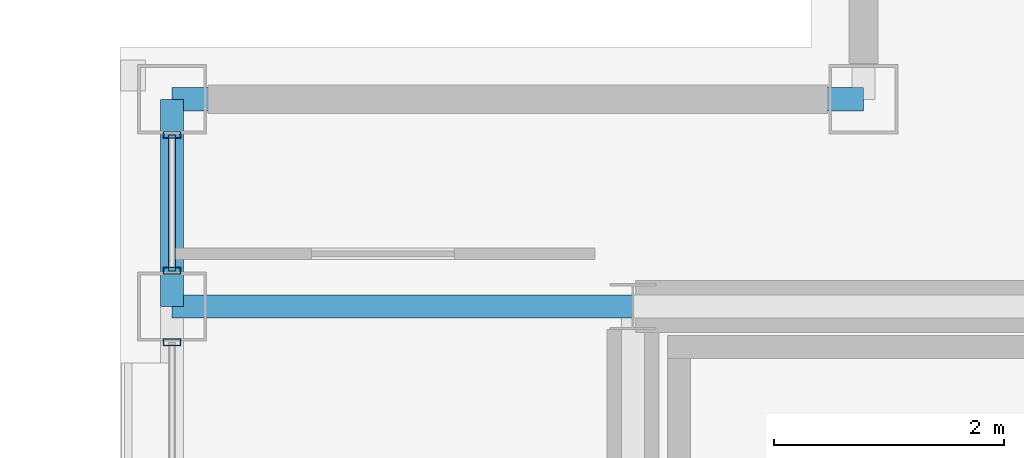
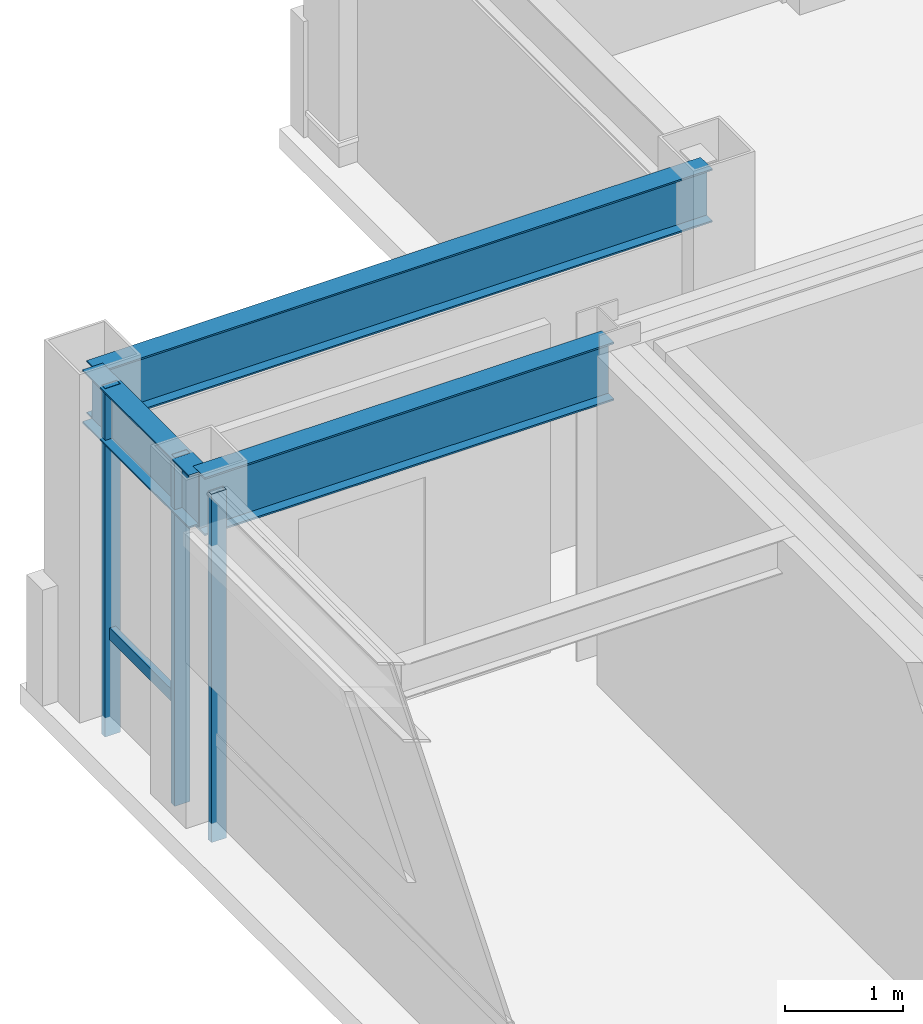
# One storey, part 11 of 27: 4 members, 3 beams, 2 elements without a shape of their own.
"""IFC4 building model written with IfcOpenShell, lengths in metres."""

from ifc_helpers import new_model, si_unit, direction, frame, origin, origin_2d, place, context, subcontext, project, spatial, hollow_rectangle, i_section, extrude, material, layer, layer_set, material_profile, profile_set, type_object, element, aggregate, save


model = new_model("IFC4")

# Units and contexts
model_context = context("Model", 3, precision=1e-05, world=origin(), true_north=direction((0.0, 1.0)))
body_context = subcontext(model_context, "Body", "Model", "MODEL_VIEW")
ifc_project = project(units=[si_unit("LENGTHUNIT", "METRE"), si_unit("AREAUNIT", "SQUARE_METRE"), si_unit("VOLUMEUNIT", "CUBIC_METRE"), si_unit("PLANEANGLEUNIT", "RADIAN"), si_unit("MASSUNIT", "GRAM", prefix="KILO")], contexts=[model_context])

# Site, building, storey
site_placement = place(None, origin())
site = spatial("IfcSite", under=ifc_project, at=site_placement, CompositionType="ELEMENT")
building_placement = place(site_placement, origin())
building = spatial("IfcBuilding", under=site, at=building_placement, Name="Brelmoor Portico Tower", CompositionType="ELEMENT")
storey_placement = place(building_placement, frame((0.0, 0.0, 258.0)))
storey = spatial("IfcBuildingStorey", under=building, at=storey_placement, Name="L68", CompositionType="ELEMENT", Elevation=258.0)

# Beams
ifc_material_1 = material(Name="Steel Q355B", Category="steel")
ifc_material_profile_1 = material_profile(ifc_material_1, i_section(OverallWidth=0.199951171875, OverallDepth=0.60009765625, WebThickness=0.010986328125, FlangeThickness=0.01708984375, at=origin_2d()), Name="HN 600x200x11x17")
ifc_profile_set_1 = profile_set([ifc_material_profile_1], Name="Steel Q355B")
beam_type_1 = type_object("IfcBeamType", Name="BM-PG-600", PredefinedType="BEAM", material=ifc_profile_set_1)
beam_1_placement = place(storey_placement, frame((-18.550048828125, 9.75, 3.10009765625), z_axis=(1.0, 0.0, 0.0), x_axis=(0.0, 1.0, 0.0)))
element("IfcBeam", 1, at=beam_1_placement, inside=storey, type_object=beam_type_1, Name="L68 Primary Floor Girder PG-19", PredefinedType="BEAM", context=body_context, shape_type="SweptSolid", body=[
    extrude(i_section(OverallWidth=0.199951171875, OverallDepth=0.60009765625, WebThickness=0.010986328125, FlangeThickness=0.01708984375, at=origin_2d()), origin(), (0.0, 0.0, 1.0), 4.0),
])
ifc_material_profile_2 = material_profile(ifc_material_1, i_section(OverallWidth=0.199951171875, OverallDepth=0.550048828125, WebThickness=0.010009765625, FlangeThickness=0.01611328125, at=origin_2d()), Name="HN 550x200x10x16")
ifc_profile_set_2 = profile_set([ifc_material_profile_2], Name="Steel Q355B")
beam_type_2 = type_object("IfcBeamType", Name="BM-SP-550", PredefinedType="SPANDREL", material=ifc_profile_set_2)
beam_2_placement = place(storey_placement, frame((-18.550048828125, 11.550048828125, 3.125), z_axis=(1.0, 0.0, 0.0), x_axis=(0.0, 1.0, 0.0)))
element("IfcBeam", 2, at=beam_2_placement, inside=storey, type_object=beam_type_2, Name="L68 Perimeter Spandrel Beam SP-06", PredefinedType="SPANDREL", context=body_context, shape_type="SweptSolid", body=[
    extrude(i_section(OverallWidth=0.199951171875, OverallDepth=0.550048828125, WebThickness=0.010009765625, FlangeThickness=0.01611328125, at=origin_2d()), origin(), (0.0, 0.0, 1.0), 6.0),
])
beam_3_placement = place(storey_placement, frame((-18.550048828125, 9.75, 3.125), z_axis=(0.0, 1.0, 0.0), x_axis=(-1.0, 0.0, 0.0)))
element("IfcBeam", 3, at=beam_3_placement, inside=storey, type_object=beam_type_2, Name="L68 Perimeter Spandrel Beam SP-13", PredefinedType="SPANDREL", context=body_context, shape_type="SweptSolid", body=[
    extrude(i_section(OverallWidth=0.199951171875, OverallDepth=0.550048828125, WebThickness=0.010009765625, FlangeThickness=0.01611328125, at=origin_2d()), origin(), (0.0, 0.0, 1.0), 1.800048828125),
])

# Curtain wall, member
ifc_material_2 = material(Name="Anodised Aluminium Alloy 6063-T6", Category="aluminium")
ifc_layer = layer(ifc_material_2, 0.179931640625)
ifc_layer_set = layer_set([ifc_layer], Name="Anodised Aluminium Alloy 6063-T6")
curtain_wall_type = type_object("IfcCurtainWallType", Name="CW-TOWER-Z4", PredefinedType="NOTDEFINED", material=ifc_layer_set)
curtain_wall_1_placement = place(storey_placement, origin())
curtain_wall_1 = element("IfcCurtainWall", 4, at=curtain_wall_1_placement, inside=storey, type_object=curtain_wall_type, Name="L68 Curtain Wall CW-L68-3R-1", PredefinedType="NOTDEFINED")
ifc_material_profile_3 = material_profile(ifc_material_2, hollow_rectangle(XDim=0.06005859375, YDim=0.14990234375, WallThickness=0.00390625, at=origin_2d()), Name="ALU MULLION 60x150")
ifc_profile_set_3 = profile_set([ifc_material_profile_3], Name="Anodised Aluminium Alloy 6063-T6")
member_type_1 = type_object("IfcMemberType", Name="MB-CW-MULL-150", PredefinedType="MULLION", material=ifc_profile_set_3)
member_1_placement = place(storey_placement, frame((-18.550048828125, 9.43994140625, -0.199951171875), z_axis=(0.0, 0.0, 1.0), x_axis=(0.0, 1.0, 0.0)))
member_1 = element("IfcMember", 5, at=member_1_placement, type_object=member_type_1, Name="CW-L68-3R-1 Mullion 01", PredefinedType="MULLION", context=body_context, shape_type="SweptSolid", body=[
    extrude(hollow_rectangle(XDim=0.06005859375, YDim=0.14990234375, WallThickness=0.00390625, at=origin_2d()), origin(), (0.0, 0.0, 1.0), 3.599853515625),
])
aggregate(curtain_wall_1, [member_1])

# Curtain wall, members
curtain_wall_2_placement = place(storey_placement, origin())
curtain_wall_2 = element("IfcCurtainWall", 6, at=curtain_wall_2_placement, inside=storey, type_object=curtain_wall_type, Name="L68 Curtain Wall CW-L68-3R-2", PredefinedType="NOTDEFINED")
member_2_placement = place(storey_placement, frame((-18.550048828125, 10.06005859375, -0.199951171875), z_axis=(0.0, 0.0, 1.0), x_axis=(0.0, 1.0, 0.0)))
member_2 = element("IfcMember", 7, at=member_2_placement, type_object=member_type_1, Name="CW-L68-3R-2 Mullion 00", PredefinedType="MULLION", context=body_context, shape_type="SweptSolid", body=[
    extrude(hollow_rectangle(XDim=0.06005859375, YDim=0.14990234375, WallThickness=0.00390625, at=origin_2d()), origin(), (0.0, 0.0, 1.0), 3.599853515625),
])
member_3_placement = place(storey_placement, frame((-18.550048828125, 11.239990234375, -0.199951171875), z_axis=(0.0, 0.0, 1.0), x_axis=(0.0, 1.0, 0.0)))
member_3 = element("IfcMember", 8, at=member_3_placement, type_object=member_type_1, Name="CW-L68-3R-2 Mullion 01", PredefinedType="MULLION", context=body_context, shape_type="SweptSolid", body=[
    extrude(hollow_rectangle(XDim=0.06005859375, YDim=0.14990234375, WallThickness=0.00390625, at=origin_2d()), origin(), (0.0, 0.0, 1.0), 3.599853515625),
])
ifc_material_profile_4 = material_profile(ifc_material_2, hollow_rectangle(XDim=0.06005859375, YDim=0.125, WallThickness=0.00341796875, at=origin_2d()), Name="ALU TRANSOM 60x125")
ifc_profile_set_4 = profile_set([ifc_material_profile_4], Name="Anodised Aluminium Alloy 6063-T6")
member_type_2 = type_object("IfcMemberType", Name="MB-CW-TRAN-125", PredefinedType="USERDEFINED", material=ifc_profile_set_4)
member_4_placement = place(storey_placement, frame((-18.550048828125, 10.06005859375, 0.85009765625), z_axis=(0.0, 1.0, 0.0), x_axis=(-1.0, 0.0, 0.0)))
member_4 = element("IfcMember", 9, at=member_4_placement, type_object=member_type_2, Name="CW-L68-3R-2 Transom 1-00", ObjectType="TRANSOM", PredefinedType="USERDEFINED", context=body_context, shape_type="SweptSolid", body=[
    extrude(hollow_rectangle(XDim=0.06005859375, YDim=0.125, WallThickness=0.00341796875, at=origin_2d()), origin(), (0.0, 0.0, 1.0), 1.179931640625),
])
aggregate(curtain_wall_2, [member_2, member_3, member_4])

save(model, "model.ifc")
